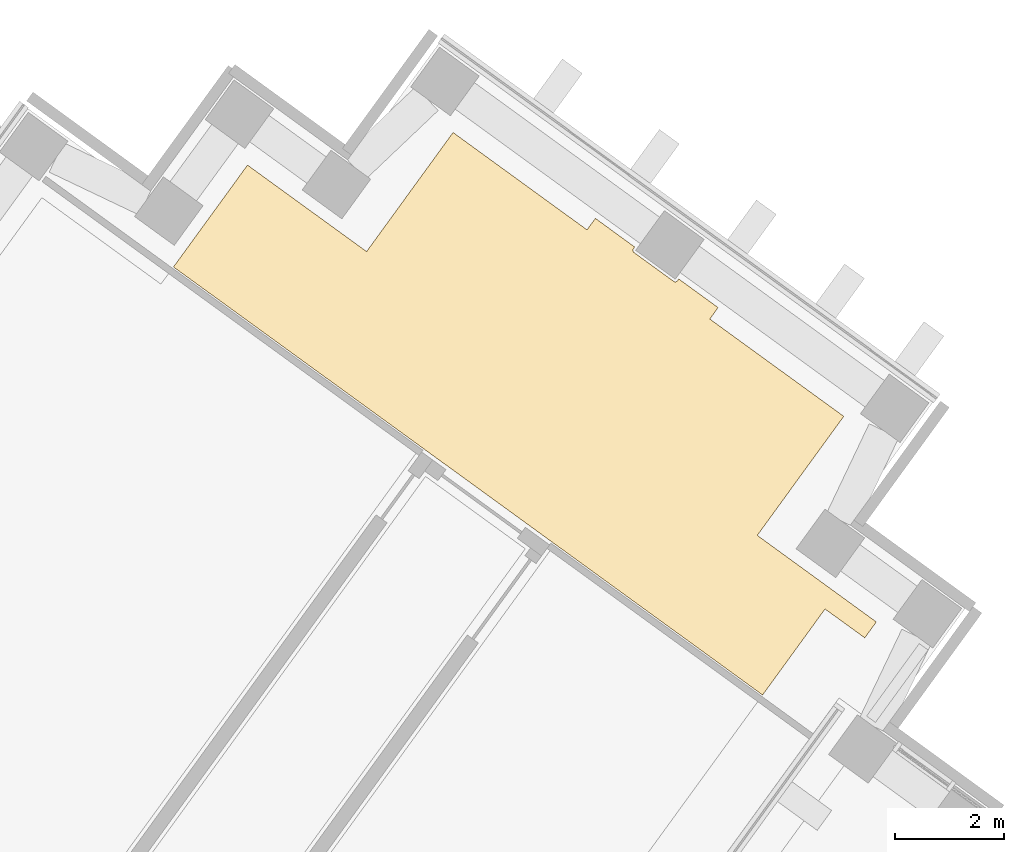
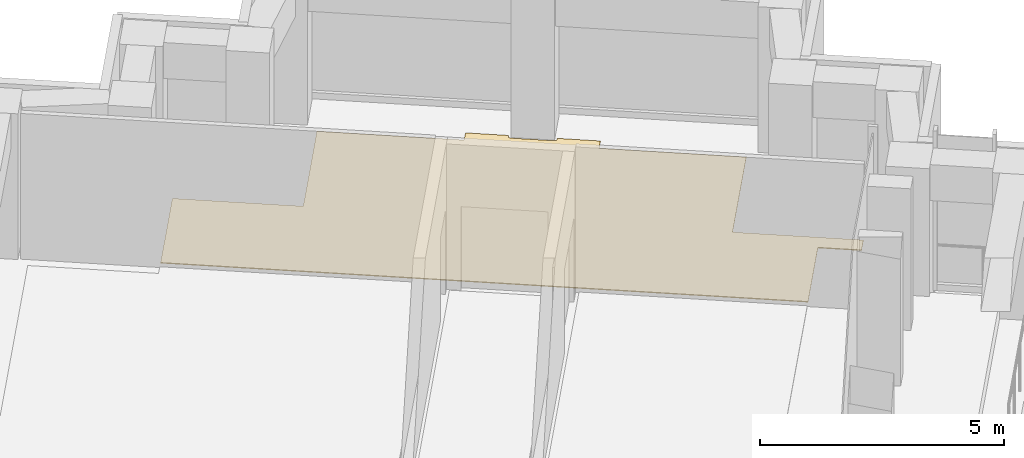
# One storey, part 14 of 14: 1 covering.
"""IFC4 building model written with IfcOpenShell, lengths in metres."""

from ifc_helpers import new_model, si_unit, direction, frame, origin, place, context, subcontext, project, spatial, polyline, outline, extrude, material, layer, layer_set, type_object, element, save


model = new_model("IFC4")

# Units and contexts
model_context = context("Model", 3, precision=1e-05, world=origin(), true_north=direction((0.0, 1.0)))
body_context = subcontext(model_context, "Body", "Model", "MODEL_VIEW")
ifc_project = project(units=[si_unit("LENGTHUNIT", "METRE"), si_unit("AREAUNIT", "SQUARE_METRE"), si_unit("VOLUMEUNIT", "CUBIC_METRE"), si_unit("PLANEANGLEUNIT", "RADIAN"), si_unit("MASSUNIT", "GRAM", prefix="KILO")], contexts=[model_context])

# Site, building, storey
site_placement = place(None, origin())
site = spatial("IfcSite", under=ifc_project, at=site_placement, CompositionType="ELEMENT")
building_placement = place(site_placement, origin())
building = spatial("IfcBuilding", under=site, at=building_placement, Name="Quipu Civic Tower", CompositionType="ELEMENT")
storey_placement = place(building_placement, frame((0.0, 0.0, 93.0)))
storey = spatial("IfcBuildingStorey", under=building, at=storey_placement, Name="L21", CompositionType="ELEMENT", Elevation=93.0)

# Covering
ifc_material = material(Name="Carpet tile on raised access floor")
ifc_layer = layer(ifc_material, 0.02001953125)
ifc_layer_set = layer_set([ifc_layer], Name="Carpet tile on raised access floor")
covering_type = type_object("IfcCoveringType", Name="Carpet tile floor finish 20", PredefinedType="FLOORING", material=ifc_layer_set)
covering_placement = place(storey_placement, origin())
element("IfcCovering", 1, at=covering_placement, inside=storey, type_object=covering_type, Name="Carpet tile floor finish 20", PredefinedType="FLOORING", context=body_context, shape_type="SweptSolid", body=[
    extrude(outline(polyline([(30.583984375, 26.697021484375), (31.94189453125, 28.56591796875), (34.126953125, 26.97998046875), (35.712890625, 29.1640625), (38.169921875, 27.37890625), (38.324951171875, 27.587890625), (39.044921875, 27.06396484375), (39.02197265625, 27.031982421875), (39.01904296875, 27.028076171875), (39.01708984375, 27.02294921875), (39.014892578125, 27.01904296875), (39.013916015625, 27.013916015625), (39.012939453125, 27.009033203125), (39.011962890625, 27.00390625), (39.011962890625, 27.0), (39.012939453125, 26.9951171875), (39.013916015625, 26.989990234375), (39.014892578125, 26.985107421875), (39.01708984375, 26.98095703125), (39.02001953125, 26.97607421875), (39.02197265625, 26.971923828125), (39.02490234375, 26.968994140625), (39.029052734375, 26.965087890625), (39.032958984375, 26.9619140625), (39.760986328125, 26.43310546875), (39.764892578125, 26.429931640625), (39.76904296875, 26.427978515625), (39.77392578125, 26.426025390625), (39.779052734375, 26.425048828125), (39.782958984375, 26.424072265625), (39.7880859375, 26.423095703125), (39.79296875, 26.424072265625), (39.798095703125, 26.424072265625), (39.802978515625, 26.425048828125), (39.80810546875, 26.427001953125), (39.81201171875, 26.427978515625), (39.81591796875, 26.430908203125), (39.820068359375, 26.43408203125), (39.823974609375, 26.43701171875), (39.827880859375, 26.43994140625), (39.8310546875, 26.444091796875), (39.85400390625, 26.47705078125), (40.574951171875, 25.952880859375), (40.424072265625, 25.740966796875), (42.881103515625, 23.95703125), (41.2939453125, 21.77294921875), (43.47802734375, 20.18505859375), (43.26611328125, 19.89404296875), (42.537109375, 20.422119140625), (41.39208984375, 18.844970703125), (30.583984375, 26.697021484375)])), origin(), (0.0, 0.0, 1.0), 0.02001953125),
])

save(model, "model.ifc")
